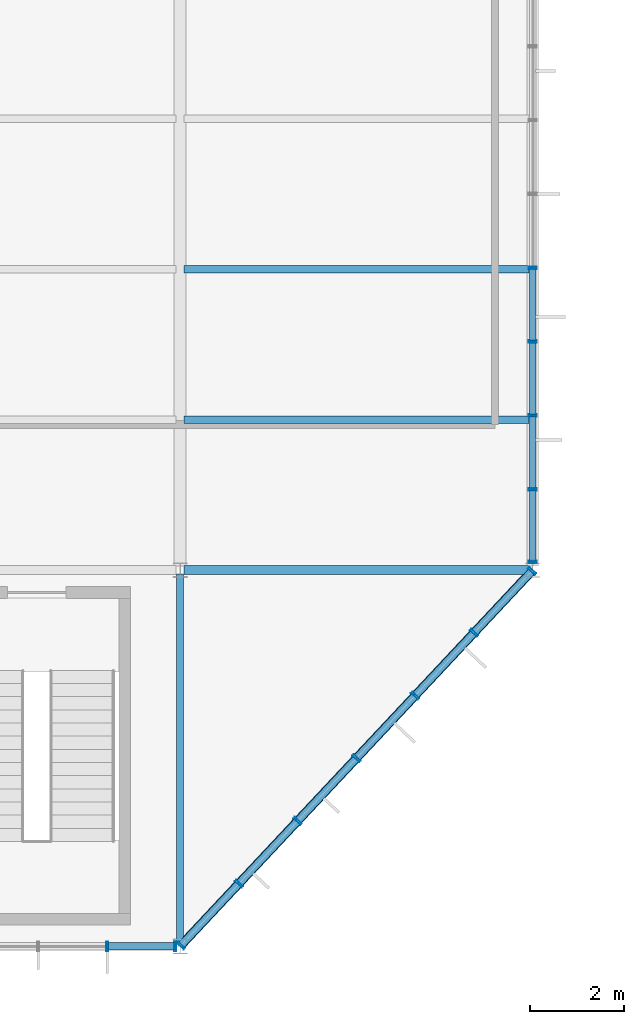
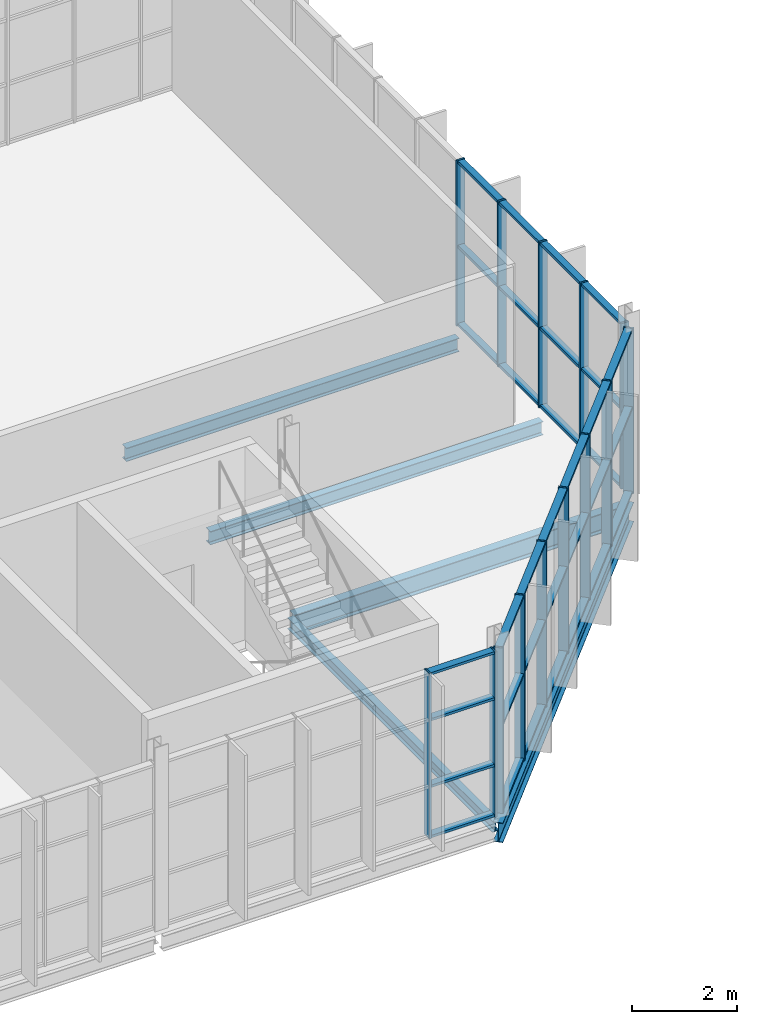
# One storey, part 60 of 324: 48 members, 5 beams, 3 elements without a shape of their own.
"""IFC4 building model written with IfcOpenShell, lengths in metres."""

from ifc_helpers import new_model, si_unit, direction, frame, origin, origin_2d, place, context, subcontext, project, spatial, hollow_rectangle, i_section, extrude, material, layer, layer_set, material_profile, profile_set, type_object, element, aggregate, save


model = new_model("IFC4")

# Units and contexts
model_context = context("Model", 3, precision=1e-05, world=origin(), true_north=direction((0.0, 1.0)))
body_context = subcontext(model_context, "Body", "Model", "MODEL_VIEW")
ifc_project = project(units=[si_unit("LENGTHUNIT", "METRE"), si_unit("AREAUNIT", "SQUARE_METRE"), si_unit("VOLUMEUNIT", "CUBIC_METRE"), si_unit("PLANEANGLEUNIT", "RADIAN"), si_unit("MASSUNIT", "GRAM", prefix="KILO")], contexts=[model_context])

# Site, building, storey
site_placement = place(None, origin())
site = spatial("IfcSite", under=ifc_project, at=site_placement, CompositionType="ELEMENT")
building_placement = place(site_placement, origin())
building = spatial("IfcBuilding", under=site, at=building_placement, Name="Solvenia Promenade Tram Depot", CompositionType="ELEMENT")
storey_placement = place(building_placement, frame((0.0, 0.0, 4.5)))
storey = spatial("IfcBuildingStorey", under=building, at=storey_placement, Name="L01", CompositionType="ELEMENT", Elevation=4.5)

# Beam
ifc_material_1 = material(Name="Structural steel ASTM A992 Gr. 50", Category="steel")
ifc_material_profile_1 = material_profile(ifc_material_1, i_section(OverallWidth=0.19091796875, OverallDepth=0.4599609375, WebThickness=0.010009765625, FlangeThickness=0.01611328125, FilletRadius=0.012939453125, at=origin_2d()), Name="W460x82", Category="steel")
ifc_profile_set_1 = profile_set([ifc_material_profile_1], Name="Structural steel ASTM A992 Gr. 50")
beam_type_1 = type_object("IfcBeamType", Name="Beam-W460x82", PredefinedType="BEAM", material=ifc_profile_set_1)
beam_1_placement = place(storey_placement, frame((82.5849609375, 8.0, -0.449951171875), z_axis=(1.0, 0.0, 0.0), x_axis=(0.0, 1.0, 0.0)))
element("IfcBeam", 1, at=beam_1_placement, inside=storey, type_object=beam_type_1, Name="Primary Girder BM-L01-0323", PredefinedType="BEAM", context=body_context, shape_type="SweptSolid", body=[
    extrude(i_section(OverallWidth=0.19091796875, OverallDepth=0.4599609375, WebThickness=0.010009765625, FlangeThickness=0.01611328125, FilletRadius=0.012939453125, at=origin_2d()), origin(), (0.0, 0.0, 1.0), 7.330078125),
])

# Curtain wall, members
ifc_material_2 = material(Name="Anodized aluminium AW-6063 T6", Category="aluminium")
ifc_layer_1 = layer(ifc_material_2, 0.14990234375, Name="Anodized aluminium AW-6063 T6", Category="aluminium")
ifc_layer_set_1 = layer_set([ifc_layer_1], Name="Anodized aluminium AW-6063 T6")
curtain_wall_type_1 = type_object("IfcCurtainWallType", Name="CW-Court-1500", PredefinedType="NOTDEFINED", material=ifc_layer_set_1)
curtain_wall_1_placement = place(storey_placement, origin())
curtain_wall_1 = element("IfcCurtainWall", 2, at=curtain_wall_1_placement, inside=storey, type_object=curtain_wall_type_1, Name="Curtain Wall CW-V4E-L01", PredefinedType="NOTDEFINED")
ifc_material_profile_2 = material_profile(ifc_material_2, hollow_rectangle(XDim=0.179931640625, YDim=0.050048828125, WallThickness=0.00390625, at=origin_2d()), Name="ALU-M2", Category="aluminium")
ifc_profile_set_2 = profile_set([ifc_material_profile_2], Name="Anodized aluminium AW-6063 T6")
member_type_1 = type_object("IfcMemberType", Name="CWM-Mullion-2", PredefinedType="MULLION", material=ifc_profile_set_2)
member_1_placement = place(storey_placement, frame((90.0, 8.175048828125, 0.0), z_axis=(0.0, 0.0, 1.0), x_axis=(-1.0, 0.0, 0.0)))
member_1 = element("IfcMember", 3, at=member_1_placement, type_object=member_type_1, Name="CW-5 mullion 1", PredefinedType="MULLION", context=body_context, shape_type="SweptSolid", body=[
    extrude(hollow_rectangle(XDim=0.179931640625, YDim=0.050048828125, WallThickness=0.00390625, at=origin_2d()), origin(), (0.0, 0.0, 1.0), 3.85009765625),
])
member_2_placement = place(storey_placement, frame((90.0, 9.719970703125, 0.0), z_axis=(0.0, 0.0, 1.0), x_axis=(-1.0, 0.0, 0.0)))
member_2 = element("IfcMember", 4, at=member_2_placement, type_object=member_type_1, Name="CW-5 mullion 2", PredefinedType="MULLION", context=body_context, shape_type="SweptSolid", body=[
    extrude(hollow_rectangle(XDim=0.179931640625, YDim=0.050048828125, WallThickness=0.00390625, at=origin_2d()), origin(), (0.0, 0.0, 1.0), 3.85009765625),
])
member_3_placement = place(storey_placement, frame((90.0, 11.2900390625, 0.0), z_axis=(0.0, 0.0, 1.0), x_axis=(-1.0, 0.0, 0.0)))
member_3 = element("IfcMember", 5, at=member_3_placement, type_object=member_type_1, Name="CW-5 mullion 3", PredefinedType="MULLION", context=body_context, shape_type="SweptSolid", body=[
    extrude(hollow_rectangle(XDim=0.179931640625, YDim=0.050048828125, WallThickness=0.00390625, at=origin_2d()), origin(), (0.0, 0.0, 1.0), 3.85009765625),
])
member_4_placement = place(storey_placement, frame((90.0, 12.860107421875, 0.0), z_axis=(0.0, 0.0, 1.0), x_axis=(-1.0, 0.0, 0.0)))
member_4 = element("IfcMember", 6, at=member_4_placement, type_object=member_type_1, Name="CW-5 mullion 4", PredefinedType="MULLION", context=body_context, shape_type="SweptSolid", body=[
    extrude(hollow_rectangle(XDim=0.179931640625, YDim=0.050048828125, WallThickness=0.00390625, at=origin_2d()), origin(), (0.0, 0.0, 1.0), 3.85009765625),
])
member_5_placement = place(storey_placement, frame((90.0, 14.429931640625, 0.0), z_axis=(0.0, 0.0, 1.0), x_axis=(-1.0, 0.0, 0.0)))
member_5 = element("IfcMember", 7, at=member_5_placement, type_object=member_type_1, Name="CW-5 mullion 5", PredefinedType="MULLION", context=body_context, shape_type="SweptSolid", body=[
    extrude(hollow_rectangle(XDim=0.179931640625, YDim=0.050048828125, WallThickness=0.00390625, at=origin_2d()), origin(), (0.0, 0.0, 1.0), 3.85009765625),
])

ifc_layer_2 = layer(ifc_material_2, 0.179931640625, Name="Anodized aluminium AW-6063 T6", Category="aluminium")
ifc_layer_set_2 = layer_set([ifc_layer_2], Name="Anodized aluminium AW-6063 T6")
curtain_wall_type_2 = type_object("IfcCurtainWallType", Name="CW-Prom-1800", PredefinedType="NOTDEFINED", material=ifc_layer_set_2)
curtain_wall_2_placement = place(storey_placement, origin())
curtain_wall_2 = element("IfcCurtainWall", 8, at=curtain_wall_2_placement, inside=storey, type_object=curtain_wall_type_2, Name="L01 East Forecourt Faceted Prow Curtain Wall", PredefinedType="NOTDEFINED")
ifc_material_profile_3 = material_profile(ifc_material_2, hollow_rectangle(XDim=0.199951171875, YDim=0.048095703125, WallThickness=0.00390625, at=origin_2d()), Name="ALU-M3", Category="aluminium")
ifc_profile_set_3 = profile_set([ifc_material_profile_3], Name="Anodized aluminium AW-6063 T6")
member_type_2 = type_object("IfcMemberType", Name="CWM-Mullion-3", PredefinedType="MULLION", material=ifc_profile_set_3)
member_6_placement = place(storey_placement, frame((82.516357421875, 0.017578125, 0.0), z_axis=(0.0, 0.0, 1.0), x_axis=(-0.72953720414, 0.683941128881, 0.0)))
member_6 = element("IfcMember", 9, at=member_6_placement, type_object=member_type_2, Name="CW-9 mullion 1", PredefinedType="MULLION", context=body_context, shape_type="SweptSolid", body=[
    extrude(hollow_rectangle(XDim=0.199951171875, YDim=0.048095703125, WallThickness=0.00390625, at=origin_2d()), origin(), (0.0, 0.0, 1.0), 3.85009765625),
])
member_7_placement = place(storey_placement, frame((83.75, 1.333251953125, 0.0), z_axis=(0.0, 0.0, 1.0), x_axis=(-0.72953720414, 0.683941128881, 0.0)))
member_7 = element("IfcMember", 10, at=member_7_placement, type_object=member_type_2, Name="CW-9 mullion 2", PredefinedType="MULLION", context=body_context, shape_type="SweptSolid", body=[
    extrude(hollow_rectangle(XDim=0.199951171875, YDim=0.048095703125, WallThickness=0.00390625, at=origin_2d()), origin(), (0.0, 0.0, 1.0), 3.85009765625),
])
member_8_placement = place(storey_placement, frame((85.0, 2.666748046875, 0.0), z_axis=(0.0, 0.0, 1.0), x_axis=(-0.72953720414, 0.683941128881, 0.0)))
member_8 = element("IfcMember", 11, at=member_8_placement, type_object=member_type_2, Name="CW-9 mullion 3", PredefinedType="MULLION", context=body_context, shape_type="SweptSolid", body=[
    extrude(hollow_rectangle(XDim=0.199951171875, YDim=0.048095703125, WallThickness=0.00390625, at=origin_2d()), origin(), (0.0, 0.0, 1.0), 3.85009765625),
])
member_9_placement = place(storey_placement, frame((86.25, 4.0, 0.0), z_axis=(0.0, 0.0, 1.0), x_axis=(-0.72953720414, 0.683941128881, 0.0)))
member_9 = element("IfcMember", 12, at=member_9_placement, type_object=member_type_2, Name="CW-9 mullion 4", PredefinedType="MULLION", context=body_context, shape_type="SweptSolid", body=[
    extrude(hollow_rectangle(XDim=0.199951171875, YDim=0.048095703125, WallThickness=0.00390625, at=origin_2d()), origin(), (0.0, 0.0, 1.0), 3.85009765625),
])
member_10_placement = place(storey_placement, frame((87.5, 5.333251953125, 0.0), z_axis=(0.0, 0.0, 1.0), x_axis=(-0.72953720414, 0.683941128881, 0.0)))
member_10 = element("IfcMember", 13, at=member_10_placement, type_object=member_type_2, Name="CW-9 mullion 5", PredefinedType="MULLION", context=body_context, shape_type="SweptSolid", body=[
    extrude(hollow_rectangle(XDim=0.199951171875, YDim=0.048095703125, WallThickness=0.00390625, at=origin_2d()), origin(), (0.0, 0.0, 1.0), 3.85009765625),
])
member_11_placement = place(storey_placement, frame((88.75, 6.666748046875, 0.0), z_axis=(0.0, 0.0, 1.0), x_axis=(-0.72953720414, 0.683941128881, 0.0)))
member_11 = element("IfcMember", 14, at=member_11_placement, type_object=member_type_2, Name="CW-9 mullion 6", PredefinedType="MULLION", context=body_context, shape_type="SweptSolid", body=[
    extrude(hollow_rectangle(XDim=0.199951171875, YDim=0.048095703125, WallThickness=0.00390625, at=origin_2d()), origin(), (0.0, 0.0, 1.0), 3.85009765625),
])
member_12_placement = place(storey_placement, frame((89.983642578125, 7.982421875, 0.0), z_axis=(0.0, 0.0, 1.0), x_axis=(-0.72953720414, 0.683941128881, 0.0)))
member_12 = element("IfcMember", 15, at=member_12_placement, type_object=member_type_2, Name="CW-9 mullion 7", PredefinedType="MULLION", context=body_context, shape_type="SweptSolid", body=[
    extrude(hollow_rectangle(XDim=0.199951171875, YDim=0.048095703125, WallThickness=0.00390625, at=origin_2d()), origin(), (0.0, 0.0, 1.0), 3.85009765625),
])

ifc_layer_3 = layer(ifc_material_2, 0.179931640625, Name="Anodized aluminium AW-6063 T6", Category="aluminium")
ifc_layer_set_3 = layer_set([ifc_layer_3], Name="Anodized aluminium AW-6063 T6")
curtain_wall_type_3 = type_object("IfcCurtainWallType", Name="CW-Solar-1500", PredefinedType="NOTDEFINED", material=ifc_layer_set_3)
curtain_wall_3_placement = place(storey_placement, origin())
curtain_wall_3 = element("IfcCurtainWall", 16, at=curtain_wall_3_placement, inside=storey, type_object=curtain_wall_type_3, Name="Curtain Wall CW-V4S-L01-10", PredefinedType="NOTDEFINED")
member_13_placement = place(storey_placement, frame((80.951904296875, 0.0, 0.0), z_axis=(0.0, 0.0, 1.0), x_axis=(0.0, 1.0, 0.0)))
member_13 = element("IfcMember", 17, at=member_13_placement, type_object=member_type_2, Name="CW-7 mullion 5", PredefinedType="MULLION", context=body_context, shape_type="SweptSolid", body=[
    extrude(hollow_rectangle(XDim=0.199951171875, YDim=0.048095703125, WallThickness=0.00390625, at=origin_2d()), origin(), (0.0, 0.0, 1.0), 3.85009765625),
])
member_14_placement = place(storey_placement, frame((82.39599609375, 0.0, 0.0), z_axis=(0.0, 0.0, 1.0), x_axis=(0.0, 1.0, 0.0)))
member_14 = element("IfcMember", 18, at=member_14_placement, type_object=member_type_2, Name="CW-7 mullion 6", PredefinedType="MULLION", context=body_context, shape_type="SweptSolid", body=[
    extrude(hollow_rectangle(XDim=0.199951171875, YDim=0.048095703125, WallThickness=0.00390625, at=origin_2d()), origin(), (0.0, 0.0, 1.0), 3.85009765625),
])

# Member
ifc_material_profile_4 = material_profile(ifc_material_2, hollow_rectangle(XDim=0.139892578125, YDim=0.06494140625, WallThickness=0.00390625, at=origin_2d()), Name="ALU-T2", Category="aluminium")
ifc_profile_set_4 = profile_set([ifc_material_profile_4], Name="Anodized aluminium AW-6063 T6")
member_type_3 = type_object("IfcMemberType", Name="CWT-Transom-2", PredefinedType="USERDEFINED", material=ifc_profile_set_4)
member_15_placement = place(storey_placement, frame((90.0, 8.199951171875, 0.032470703125), z_axis=(0.0, 1.0, 0.0), x_axis=(-1.0, 0.0, 0.0)))
member_15 = element("IfcMember", 19, at=member_15_placement, type_object=member_type_3, Name="CW-5 transom 1.1", ObjectType="TRANSOM", PredefinedType="USERDEFINED", context=body_context, shape_type="SweptSolid", body=[
    extrude(hollow_rectangle(XDim=0.139892578125, YDim=0.06494140625, WallThickness=0.00390625, at=origin_2d()), origin(), (0.0, 0.0, 1.0), 1.4951171875),
])

member_16_placement = place(storey_placement, frame((90.0, 8.199951171875, 1.85009765625), z_axis=(0.0, 1.0, 0.0), x_axis=(-1.0, 0.0, 0.0)))
member_16 = element("IfcMember", 20, at=member_16_placement, type_object=member_type_3, Name="CW-5 transom 1.2", ObjectType="TRANSOM", PredefinedType="USERDEFINED", context=body_context, shape_type="SweptSolid", body=[
    extrude(hollow_rectangle(XDim=0.139892578125, YDim=0.06494140625, WallThickness=0.00390625, at=origin_2d()), origin(), (0.0, 0.0, 1.0), 1.4951171875),
])

member_17_placement = place(storey_placement, frame((90.0, 8.199951171875, 3.8173828125), z_axis=(0.0, 1.0, 0.0), x_axis=(-1.0, 0.0, 0.0)))
member_17 = element("IfcMember", 21, at=member_17_placement, type_object=member_type_3, Name="CW-5 transom 1.3", ObjectType="TRANSOM", PredefinedType="USERDEFINED", context=body_context, shape_type="SweptSolid", body=[
    extrude(hollow_rectangle(XDim=0.139892578125, YDim=0.06494140625, WallThickness=0.00390625, at=origin_2d()), origin(), (0.0, 0.0, 1.0), 1.4951171875),
])

member_18_placement = place(storey_placement, frame((90.0, 9.7451171875, 0.032470703125), z_axis=(0.0, 1.0, 0.0), x_axis=(-1.0, 0.0, 0.0)))
member_18 = element("IfcMember", 22, at=member_18_placement, type_object=member_type_3, Name="CW-5 transom 2.1", ObjectType="TRANSOM", PredefinedType="USERDEFINED", context=body_context, shape_type="SweptSolid", body=[
    extrude(hollow_rectangle(XDim=0.139892578125, YDim=0.06494140625, WallThickness=0.00390625, at=origin_2d()), origin(), (0.0, 0.0, 1.0), 1.519775390625),
])

member_19_placement = place(storey_placement, frame((90.0, 9.7451171875, 1.85009765625), z_axis=(0.0, 1.0, 0.0), x_axis=(-1.0, 0.0, 0.0)))
member_19 = element("IfcMember", 23, at=member_19_placement, type_object=member_type_3, Name="CW-5 transom 2.2", ObjectType="TRANSOM", PredefinedType="USERDEFINED", context=body_context, shape_type="SweptSolid", body=[
    extrude(hollow_rectangle(XDim=0.139892578125, YDim=0.06494140625, WallThickness=0.00390625, at=origin_2d()), origin(), (0.0, 0.0, 1.0), 1.519775390625),
])

member_20_placement = place(storey_placement, frame((90.0, 9.7451171875, 3.8173828125), z_axis=(0.0, 1.0, 0.0), x_axis=(-1.0, 0.0, 0.0)))
member_20 = element("IfcMember", 24, at=member_20_placement, type_object=member_type_3, Name="CW-5 transom 2.3", ObjectType="TRANSOM", PredefinedType="USERDEFINED", context=body_context, shape_type="SweptSolid", body=[
    extrude(hollow_rectangle(XDim=0.139892578125, YDim=0.06494140625, WallThickness=0.00390625, at=origin_2d()), origin(), (0.0, 0.0, 1.0), 1.519775390625),
])

member_21_placement = place(storey_placement, frame((90.0, 11.31494140625, 0.032470703125), z_axis=(0.0, 1.0, 0.0), x_axis=(-1.0, 0.0, 0.0)))
member_21 = element("IfcMember", 25, at=member_21_placement, type_object=member_type_3, Name="CW-5 transom 3.1", ObjectType="TRANSOM", PredefinedType="USERDEFINED", context=body_context, shape_type="SweptSolid", body=[
    extrude(hollow_rectangle(XDim=0.139892578125, YDim=0.06494140625, WallThickness=0.00390625, at=origin_2d()), origin(), (0.0, 0.0, 1.0), 1.52001953125),
])

member_22_placement = place(storey_placement, frame((90.0, 11.31494140625, 1.85009765625), z_axis=(0.0, 1.0, 0.0), x_axis=(-1.0, 0.0, 0.0)))
member_22 = element("IfcMember", 26, at=member_22_placement, type_object=member_type_3, Name="CW-5 transom 3.2", ObjectType="TRANSOM", PredefinedType="USERDEFINED", context=body_context, shape_type="SweptSolid", body=[
    extrude(hollow_rectangle(XDim=0.139892578125, YDim=0.06494140625, WallThickness=0.00390625, at=origin_2d()), origin(), (0.0, 0.0, 1.0), 1.52001953125),
])

member_23_placement = place(storey_placement, frame((90.0, 11.31494140625, 3.8173828125), z_axis=(0.0, 1.0, 0.0), x_axis=(-1.0, 0.0, 0.0)))
member_23 = element("IfcMember", 27, at=member_23_placement, type_object=member_type_3, Name="CW-5 transom 3.3", ObjectType="TRANSOM", PredefinedType="USERDEFINED", context=body_context, shape_type="SweptSolid", body=[
    extrude(hollow_rectangle(XDim=0.139892578125, YDim=0.06494140625, WallThickness=0.00390625, at=origin_2d()), origin(), (0.0, 0.0, 1.0), 1.52001953125),
])

member_24_placement = place(storey_placement, frame((90.0, 12.885009765625, 0.032470703125), z_axis=(0.0, 1.0, 0.0), x_axis=(-1.0, 0.0, 0.0)))
member_24 = element("IfcMember", 28, at=member_24_placement, type_object=member_type_3, Name="CW-5 transom 4.1", ObjectType="TRANSOM", PredefinedType="USERDEFINED", context=body_context, shape_type="SweptSolid", body=[
    extrude(hollow_rectangle(XDim=0.139892578125, YDim=0.06494140625, WallThickness=0.00390625, at=origin_2d()), origin(), (0.0, 0.0, 1.0), 1.52001953125),
])

member_25_placement = place(storey_placement, frame((90.0, 12.885009765625, 1.85009765625), z_axis=(0.0, 1.0, 0.0), x_axis=(-1.0, 0.0, 0.0)))
member_25 = element("IfcMember", 29, at=member_25_placement, type_object=member_type_3, Name="CW-5 transom 4.2", ObjectType="TRANSOM", PredefinedType="USERDEFINED", context=body_context, shape_type="SweptSolid", body=[
    extrude(hollow_rectangle(XDim=0.139892578125, YDim=0.06494140625, WallThickness=0.00390625, at=origin_2d()), origin(), (0.0, 0.0, 1.0), 1.52001953125),
])

member_26_placement = place(storey_placement, frame((90.0, 12.885009765625, 3.8173828125), z_axis=(0.0, 1.0, 0.0), x_axis=(-1.0, 0.0, 0.0)))
member_26 = element("IfcMember", 30, at=member_26_placement, type_object=member_type_3, Name="CW-5 transom 4.3", ObjectType="TRANSOM", PredefinedType="USERDEFINED", context=body_context, shape_type="SweptSolid", body=[
    extrude(hollow_rectangle(XDim=0.139892578125, YDim=0.06494140625, WallThickness=0.00390625, at=origin_2d()), origin(), (0.0, 0.0, 1.0), 1.52001953125),
])

aggregate(curtain_wall_1, [member_1, member_2, member_3, member_4, member_5, member_15, member_16, member_17, member_18, member_19, member_20, member_21, member_22, member_23, member_24, member_25, member_26])

ifc_material_profile_5 = material_profile(ifc_material_2, hollow_rectangle(XDim=0.159912109375, YDim=0.05810546875, WallThickness=0.00390625, at=origin_2d()), Name="ALU-T3", Category="aluminium")
ifc_profile_set_5 = profile_set([ifc_material_profile_5], Name="Anodized aluminium AW-6063 T6")
member_type_4 = type_object("IfcMemberType", Name="CWT-Transom-3", PredefinedType="USERDEFINED", material=ifc_profile_set_5)
member_27_placement = place(storey_placement, frame((82.53271484375, 0.034912109375, 0.029052734375), z_axis=(0.683936503845, 0.729541540084, 0.0), x_axis=(-0.729541540084, 0.683936503845, 0.0)))
member_27 = element("IfcMember", 31, at=member_27_placement, type_object=member_type_4, Name="CW-9 transom 1.1", ObjectType="TRANSOM", PredefinedType="USERDEFINED", context=body_context, shape_type="SweptSolid", body=[
    extrude(hollow_rectangle(XDim=0.159912109375, YDim=0.05810546875, WallThickness=0.00390625, at=origin_2d()), origin(), (0.0, 0.0, 1.0), 1.755859375),
])

member_28_placement = place(storey_placement, frame((82.53271484375, 0.034912109375, 2.0), z_axis=(0.683936503845, 0.729541540084, 0.0), x_axis=(-0.729541540084, 0.683936503845, 0.0)))
member_28 = element("IfcMember", 32, at=member_28_placement, type_object=member_type_4, Name="CW-9 transom 1.2", ObjectType="TRANSOM", PredefinedType="USERDEFINED", context=body_context, shape_type="SweptSolid", body=[
    extrude(hollow_rectangle(XDim=0.159912109375, YDim=0.05810546875, WallThickness=0.00390625, at=origin_2d()), origin(), (0.0, 0.0, 1.0), 1.755859375),
])

member_29_placement = place(storey_placement, frame((82.53271484375, 0.034912109375, 3.821044921875), z_axis=(0.683936503845, 0.729541540084, 0.0), x_axis=(-0.729541540084, 0.683936503845, 0.0)))
member_29 = element("IfcMember", 33, at=member_29_placement, type_object=member_type_4, Name="CW-9 transom 1.3", ObjectType="TRANSOM", PredefinedType="USERDEFINED", context=body_context, shape_type="SweptSolid", body=[
    extrude(hollow_rectangle(XDim=0.159912109375, YDim=0.05810546875, WallThickness=0.00390625, at=origin_2d()), origin(), (0.0, 0.0, 1.0), 1.755859375),
])

member_30_placement = place(storey_placement, frame((83.766357421875, 1.350830078125, 0.029052734375), z_axis=(0.683968506921, 0.729511536263, 0.0), x_axis=(-0.729511536263, 0.683968506921, 0.0)))
member_30 = element("IfcMember", 34, at=member_30_placement, type_object=member_type_4, Name="CW-9 transom 2.1", ObjectType="TRANSOM", PredefinedType="USERDEFINED", context=body_context, shape_type="SweptSolid", body=[
    extrude(hollow_rectangle(XDim=0.159912109375, YDim=0.05810546875, WallThickness=0.00390625, at=origin_2d()), origin(), (0.0, 0.0, 1.0), 1.77978515625),
])

member_31_placement = place(storey_placement, frame((83.766357421875, 1.350830078125, 2.0), z_axis=(0.683968506921, 0.729511536263, 0.0), x_axis=(-0.729511536263, 0.683968506921, 0.0)))
member_31 = element("IfcMember", 35, at=member_31_placement, type_object=member_type_4, Name="CW-9 transom 2.2", ObjectType="TRANSOM", PredefinedType="USERDEFINED", context=body_context, shape_type="SweptSolid", body=[
    extrude(hollow_rectangle(XDim=0.159912109375, YDim=0.05810546875, WallThickness=0.00390625, at=origin_2d()), origin(), (0.0, 0.0, 1.0), 1.77978515625),
])

member_32_placement = place(storey_placement, frame((83.766357421875, 1.350830078125, 3.821044921875), z_axis=(0.683968506921, 0.729511536263, 0.0), x_axis=(-0.729511536263, 0.683968506921, 0.0)))
member_32 = element("IfcMember", 36, at=member_32_placement, type_object=member_type_4, Name="CW-9 transom 2.3", ObjectType="TRANSOM", PredefinedType="USERDEFINED", context=body_context, shape_type="SweptSolid", body=[
    extrude(hollow_rectangle(XDim=0.159912109375, YDim=0.05810546875, WallThickness=0.00390625, at=origin_2d()), origin(), (0.0, 0.0, 1.0), 1.77978515625),
])

member_33_placement = place(storey_placement, frame((85.016357421875, 2.68408203125, 0.029052734375), z_axis=(0.683968506921, 0.729511536263, 0.0), x_axis=(-0.729511536263, 0.683968506921, 0.0)))
member_33 = element("IfcMember", 37, at=member_33_placement, type_object=member_type_4, Name="CW-9 transom 3.1", ObjectType="TRANSOM", PredefinedType="USERDEFINED", context=body_context, shape_type="SweptSolid", body=[
    extrude(hollow_rectangle(XDim=0.159912109375, YDim=0.05810546875, WallThickness=0.00390625, at=origin_2d()), origin(), (0.0, 0.0, 1.0), 1.77978515625),
])

member_34_placement = place(storey_placement, frame((85.016357421875, 2.68408203125, 2.0), z_axis=(0.683968506921, 0.729511536263, 0.0), x_axis=(-0.729511536263, 0.683968506921, 0.0)))
member_34 = element("IfcMember", 38, at=member_34_placement, type_object=member_type_4, Name="CW-9 transom 3.2", ObjectType="TRANSOM", PredefinedType="USERDEFINED", context=body_context, shape_type="SweptSolid", body=[
    extrude(hollow_rectangle(XDim=0.159912109375, YDim=0.05810546875, WallThickness=0.00390625, at=origin_2d()), origin(), (0.0, 0.0, 1.0), 1.77978515625),
])

member_35_placement = place(storey_placement, frame((85.016357421875, 2.68408203125, 3.821044921875), z_axis=(0.683968506921, 0.729511536263, 0.0), x_axis=(-0.729511536263, 0.683968506921, 0.0)))
member_35 = element("IfcMember", 39, at=member_35_placement, type_object=member_type_4, Name="CW-9 transom 3.3", ObjectType="TRANSOM", PredefinedType="USERDEFINED", context=body_context, shape_type="SweptSolid", body=[
    extrude(hollow_rectangle(XDim=0.159912109375, YDim=0.05810546875, WallThickness=0.00390625, at=origin_2d()), origin(), (0.0, 0.0, 1.0), 1.77978515625),
])

member_36_placement = place(storey_placement, frame((86.266357421875, 4.017578125, 0.029052734375), z_axis=(0.683968506921, 0.729511536263, 0.0), x_axis=(-0.729511536263, 0.683968506921, 0.0)))
member_36 = element("IfcMember", 40, at=member_36_placement, type_object=member_type_4, Name="CW-9 transom 4.1", ObjectType="TRANSOM", PredefinedType="USERDEFINED", context=body_context, shape_type="SweptSolid", body=[
    extrude(hollow_rectangle(XDim=0.159912109375, YDim=0.05810546875, WallThickness=0.00390625, at=origin_2d()), origin(), (0.0, 0.0, 1.0), 1.77978515625),
])

member_37_placement = place(storey_placement, frame((86.266357421875, 4.017578125, 2.0), z_axis=(0.683968506921, 0.729511536263, 0.0), x_axis=(-0.729511536263, 0.683968506921, 0.0)))
member_37 = element("IfcMember", 41, at=member_37_placement, type_object=member_type_4, Name="CW-9 transom 4.2", ObjectType="TRANSOM", PredefinedType="USERDEFINED", context=body_context, shape_type="SweptSolid", body=[
    extrude(hollow_rectangle(XDim=0.159912109375, YDim=0.05810546875, WallThickness=0.00390625, at=origin_2d()), origin(), (0.0, 0.0, 1.0), 1.77978515625),
])

member_38_placement = place(storey_placement, frame((86.266357421875, 4.017578125, 3.821044921875), z_axis=(0.683968506921, 0.729511536263, 0.0), x_axis=(-0.729511536263, 0.683968506921, 0.0)))
member_38 = element("IfcMember", 42, at=member_38_placement, type_object=member_type_4, Name="CW-9 transom 4.3", ObjectType="TRANSOM", PredefinedType="USERDEFINED", context=body_context, shape_type="SweptSolid", body=[
    extrude(hollow_rectangle(XDim=0.159912109375, YDim=0.05810546875, WallThickness=0.00390625, at=origin_2d()), origin(), (0.0, 0.0, 1.0), 1.77978515625),
])

member_39_placement = place(storey_placement, frame((87.516357421875, 5.350830078125, 0.029052734375), z_axis=(0.683968506921, 0.729511536263, 0.0), x_axis=(-0.729511536263, 0.683968506921, 0.0)))
member_39 = element("IfcMember", 43, at=member_39_placement, type_object=member_type_4, Name="CW-9 transom 5.1", ObjectType="TRANSOM", PredefinedType="USERDEFINED", context=body_context, shape_type="SweptSolid", body=[
    extrude(hollow_rectangle(XDim=0.159912109375, YDim=0.05810546875, WallThickness=0.00390625, at=origin_2d()), origin(), (0.0, 0.0, 1.0), 1.77978515625),
])

member_40_placement = place(storey_placement, frame((87.516357421875, 5.350830078125, 2.0), z_axis=(0.683968506921, 0.729511536263, 0.0), x_axis=(-0.729511536263, 0.683968506921, 0.0)))
member_40 = element("IfcMember", 44, at=member_40_placement, type_object=member_type_4, Name="CW-9 transom 5.2", ObjectType="TRANSOM", PredefinedType="USERDEFINED", context=body_context, shape_type="SweptSolid", body=[
    extrude(hollow_rectangle(XDim=0.159912109375, YDim=0.05810546875, WallThickness=0.00390625, at=origin_2d()), origin(), (0.0, 0.0, 1.0), 1.77978515625),
])

member_41_placement = place(storey_placement, frame((87.516357421875, 5.350830078125, 3.821044921875), z_axis=(0.683968506921, 0.729511536263, 0.0), x_axis=(-0.729511536263, 0.683968506921, 0.0)))
member_41 = element("IfcMember", 45, at=member_41_placement, type_object=member_type_4, Name="CW-9 transom 5.3", ObjectType="TRANSOM", PredefinedType="USERDEFINED", context=body_context, shape_type="SweptSolid", body=[
    extrude(hollow_rectangle(XDim=0.159912109375, YDim=0.05810546875, WallThickness=0.00390625, at=origin_2d()), origin(), (0.0, 0.0, 1.0), 1.77978515625),
])

member_42_placement = place(storey_placement, frame((88.766357421875, 6.68408203125, 0.029052734375), z_axis=(0.683936503845, 0.729541540084, 0.0), x_axis=(-0.729541540084, 0.683936503845, 0.0)))
member_42 = element("IfcMember", 46, at=member_42_placement, type_object=member_type_4, Name="CW-9 transom 6.1", ObjectType="TRANSOM", PredefinedType="USERDEFINED", context=body_context, shape_type="SweptSolid", body=[
    extrude(hollow_rectangle(XDim=0.159912109375, YDim=0.05810546875, WallThickness=0.00390625, at=origin_2d()), origin(), (0.0, 0.0, 1.0), 1.755859375),
])

member_43_placement = place(storey_placement, frame((88.766357421875, 6.68408203125, 2.0), z_axis=(0.683936503845, 0.729541540084, 0.0), x_axis=(-0.729541540084, 0.683936503845, 0.0)))
member_43 = element("IfcMember", 47, at=member_43_placement, type_object=member_type_4, Name="CW-9 transom 6.2", ObjectType="TRANSOM", PredefinedType="USERDEFINED", context=body_context, shape_type="SweptSolid", body=[
    extrude(hollow_rectangle(XDim=0.159912109375, YDim=0.05810546875, WallThickness=0.00390625, at=origin_2d()), origin(), (0.0, 0.0, 1.0), 1.755859375),
])

member_44_placement = place(storey_placement, frame((88.766357421875, 6.68408203125, 3.821044921875), z_axis=(0.683936503845, 0.729541540084, 0.0), x_axis=(-0.729541540084, 0.683936503845, 0.0)))
member_44 = element("IfcMember", 48, at=member_44_placement, type_object=member_type_4, Name="CW-9 transom 6.3", ObjectType="TRANSOM", PredefinedType="USERDEFINED", context=body_context, shape_type="SweptSolid", body=[
    extrude(hollow_rectangle(XDim=0.159912109375, YDim=0.05810546875, WallThickness=0.00390625, at=origin_2d()), origin(), (0.0, 0.0, 1.0), 1.755859375),
])

aggregate(curtain_wall_2, [member_6, member_7, member_8, member_9, member_10, member_11, member_12, member_27, member_28, member_29, member_30, member_31, member_32, member_33, member_34, member_35, member_36, member_37, member_38, member_39, member_40, member_41, member_42, member_43, member_44])

member_45_placement = place(storey_placement, frame((80.97607421875, 0.0, 0.029052734375), z_axis=(1.0, 0.0, 0.0), x_axis=(0.0, 1.0, 0.0)))
member_45 = element("IfcMember", 49, at=member_45_placement, type_object=member_type_4, Name="CW-7 transom 5.1", ObjectType="TRANSOM", PredefinedType="USERDEFINED", context=body_context, shape_type="SweptSolid", body=[
    extrude(hollow_rectangle(XDim=0.159912109375, YDim=0.05810546875, WallThickness=0.00390625, at=origin_2d()), origin(), (0.0, 0.0, 1.0), 1.39599609375),
])

member_46_placement = place(storey_placement, frame((80.97607421875, 0.0, 1.199951171875), z_axis=(1.0, 0.0, 0.0), x_axis=(0.0, 1.0, 0.0)))
member_46 = element("IfcMember", 50, at=member_46_placement, type_object=member_type_4, Name="CW-7 transom 5.2", ObjectType="TRANSOM", PredefinedType="USERDEFINED", context=body_context, shape_type="SweptSolid", body=[
    extrude(hollow_rectangle(XDim=0.159912109375, YDim=0.05810546875, WallThickness=0.00390625, at=origin_2d()), origin(), (0.0, 0.0, 1.0), 1.39599609375),
])

member_47_placement = place(storey_placement, frame((80.97607421875, 0.0, 2.75), z_axis=(1.0, 0.0, 0.0), x_axis=(0.0, 1.0, 0.0)))
member_47 = element("IfcMember", 51, at=member_47_placement, type_object=member_type_4, Name="CW-7 transom 5.3", ObjectType="TRANSOM", PredefinedType="USERDEFINED", context=body_context, shape_type="SweptSolid", body=[
    extrude(hollow_rectangle(XDim=0.159912109375, YDim=0.05810546875, WallThickness=0.00390625, at=origin_2d()), origin(), (0.0, 0.0, 1.0), 1.39599609375),
])

member_48_placement = place(storey_placement, frame((80.97607421875, 0.0, 3.821044921875), z_axis=(1.0, 0.0, 0.0), x_axis=(0.0, 1.0, 0.0)))
member_48 = element("IfcMember", 52, at=member_48_placement, type_object=member_type_4, Name="CW-7 transom 5.4", ObjectType="TRANSOM", PredefinedType="USERDEFINED", context=body_context, shape_type="SweptSolid", body=[
    extrude(hollow_rectangle(XDim=0.159912109375, YDim=0.05810546875, WallThickness=0.00390625, at=origin_2d()), origin(), (0.0, 0.0, 1.0), 1.39599609375),
])

aggregate(curtain_wall_3, [member_13, member_14, member_45, member_46, member_47, member_48])

# Beams
ifc_material_profile_6 = material_profile(ifc_material_1, i_section(OverallWidth=0.14697265625, OverallDepth=0.261962890625, WebThickness=0.006591796875, FlangeThickness=0.01123046875, FilletRadius=0.010009765625, at=origin_2d()), Name="W250x39", Category="steel")
ifc_profile_set_6 = profile_set([ifc_material_profile_6], Name="Structural steel ASTM A992 Gr. 50")
beam_type_2 = type_object("IfcBeamType", Name="Joist-W250x39", PredefinedType="JOIST", material=ifc_profile_set_6)
beam_2_placement = place(storey_placement, frame((82.5, 0.0849609375, -0.35107421875), z_axis=(0.0, 1.0, 0.0), x_axis=(-1.0, 0.0, 0.0)))
element("IfcBeam", 53, at=beam_2_placement, inside=storey, type_object=beam_type_2, Name="Transverse Girder BM-L01-0351", PredefinedType="JOIST", context=body_context, shape_type="SweptSolid", body=[
    extrude(i_section(OverallWidth=0.14697265625, OverallDepth=0.261962890625, WebThickness=0.006591796875, FlangeThickness=0.01123046875, FilletRadius=0.010009765625, at=origin_2d()), origin(), (0.0, 0.0, 1.0), 7.830078125),
])
ifc_material_profile_7 = material_profile(ifc_material_1, i_section(OverallWidth=0.166015625, OverallDepth=0.31298828125, WebThickness=0.006591796875, FlangeThickness=0.01123046875, FilletRadius=0.010009765625, at=origin_2d()), Name="W310x45", Category="steel")
ifc_profile_set_7 = profile_set([ifc_material_profile_7], Name="Structural steel ASTM A992 Gr. 50")
beam_type_3 = type_object("IfcBeamType", Name="Joist-W310x45", PredefinedType="JOIST", material=ifc_profile_set_7)
for number, where, z_axis, x_axis, name in (
    (54, (82.5849609375, 11.199951171875, -0.37646484375), (1.0, 0.0, 0.0), (0.0, 1.0, 0.0), "Secondary Floor Joist BM-L01-0410"),
    (55, (82.5849609375, 14.39990234375, -0.37646484375), (1.0, 0.0, 0.0), (0.0, 1.0, 0.0), "Secondary Floor Joist BM-L01-0411"),
):
    element("IfcBeam", number, at=place(storey_placement, frame(where, z_axis=z_axis, x_axis=x_axis)), inside=storey, type_object=beam_type_3, Name=name, PredefinedType="JOIST", context=body_context, shape_type="SweptSolid", body=[
        extrude(i_section(OverallWidth=0.166015625, OverallDepth=0.31298828125, WebThickness=0.006591796875, FlangeThickness=0.01123046875, FilletRadius=0.010009765625, at=origin_2d()), origin(), (0.0, 0.0, 1.0), 7.330078125),
    ])
ifc_material_profile_8 = material_profile(ifc_material_1, i_section(OverallWidth=0.19091796875, OverallDepth=0.4599609375, WebThickness=0.010009765625, FlangeThickness=0.01611328125, FilletRadius=0.012939453125, at=origin_2d()), Name="W460x82", Category="steel")
ifc_profile_set_8 = profile_set([ifc_material_profile_8], Name="Structural steel ASTM A992 Gr. 50")
beam_type_4 = type_object("IfcBeamType", Name="Spandrel-W460x82", PredefinedType="SPANDREL", material=ifc_profile_set_8)
beam_3_placement = place(storey_placement, frame((82.5, 0.0, -0.449951171875), z_axis=(0.683941128881, 0.72953720414, 0.0), x_axis=(-0.72953720414, 0.683941128881, 0.0)))
element("IfcBeam", 56, at=beam_3_placement, inside=storey, type_object=beam_type_4, Name="East Forecourt Chamfer Spandrel BM-L01-0355", PredefinedType="SPANDREL", context=body_context, shape_type="SweptSolid", body=[
    extrude(i_section(OverallWidth=0.19091796875, OverallDepth=0.4599609375, WebThickness=0.010009765625, FlangeThickness=0.01611328125, FilletRadius=0.012939453125, at=origin_2d()), origin(), (0.0, 0.0, 1.0), 10.9658203125),
])

save(model, "model.ifc")
